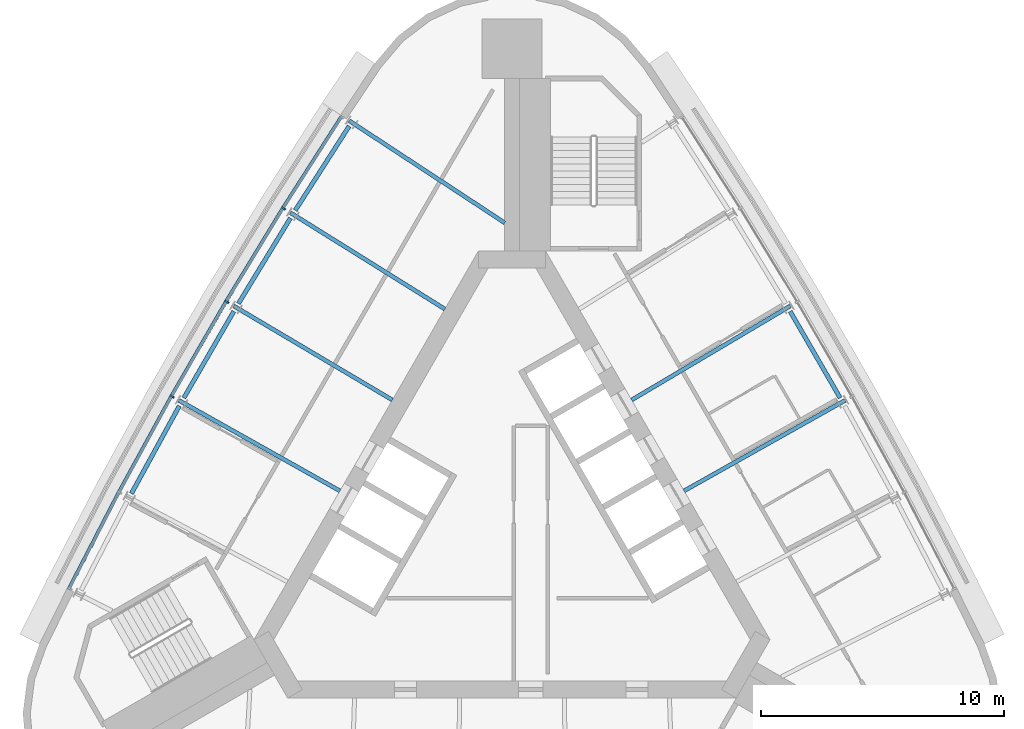
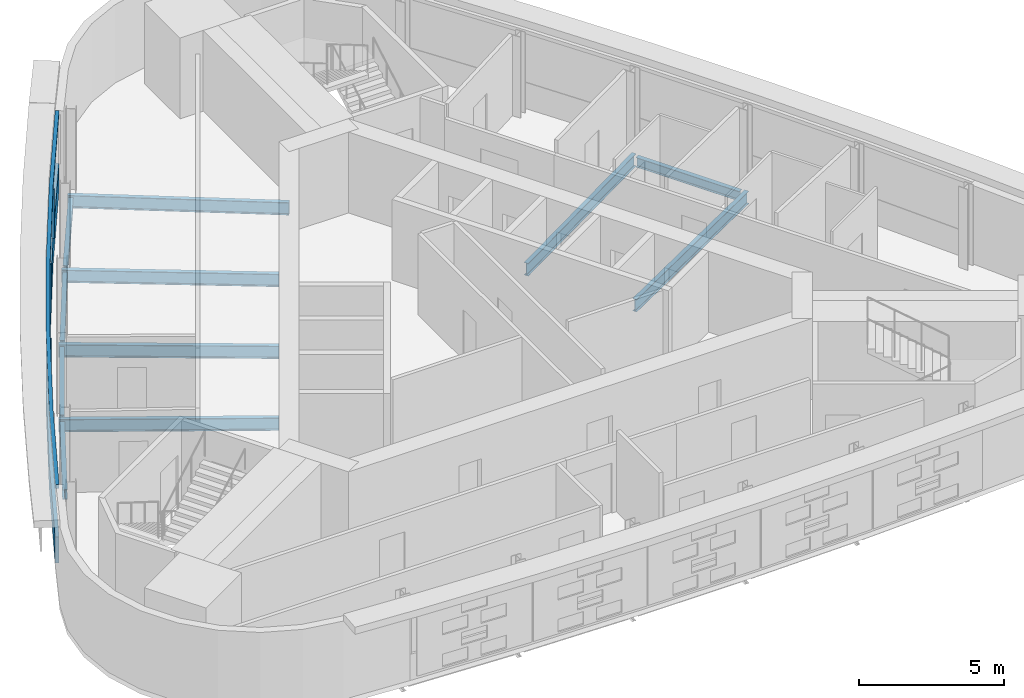
# One storey, part 3 of 10: 11 beams, 5 members, 1 element without a shape of its own.
"""IFC4 building model written with IfcOpenShell, lengths in metres."""

from ifc_helpers import new_model, si_unit, direction, frame, origin, origin_2d, place, context, subcontext, project, spatial, polyline, rectangle, i_section, outline, extrude, material, material_profile, profile_set, type_object, element, aggregate, save


model = new_model("IFC4")

# Units and contexts
model_context = context("Model", 3, precision=1e-05, world=origin(), true_north=direction((0.0, 1.0)))
body_context = subcontext(model_context, "Body", "Model", "MODEL_VIEW")
ifc_project = project(units=[si_unit("LENGTHUNIT", "METRE"), si_unit("AREAUNIT", "SQUARE_METRE"), si_unit("VOLUMEUNIT", "CUBIC_METRE"), si_unit("PLANEANGLEUNIT", "RADIAN"), si_unit("MASSUNIT", "GRAM", prefix="KILO")], contexts=[model_context])

# Site, building, storey
site_placement = place(None, origin())
site = spatial("IfcSite", under=ifc_project, at=site_placement, CompositionType="ELEMENT")
building_placement = place(site_placement, origin())
building = spatial("IfcBuilding", under=site, at=building_placement, Name="Noor Cloister Tower", CompositionType="ELEMENT")
storey_placement = place(building_placement, frame((0.0, 0.0, 243.60009765625)))
storey = spatial("IfcBuildingStorey", under=building, at=storey_placement, Name="L63", CompositionType="ELEMENT", Elevation=243.60009765625)

# Curtain wall, members
ifc_material_1 = material(Name="Aluminium 6063-T6 anodised", Category="aluminium")
curtain_wall_type = type_object("IfcCurtainWallType", Name="Ribbon curtain wall, upper tower CW5", PredefinedType="NOTDEFINED", material=ifc_material_1)
curtain_wall_placement = place(storey_placement, origin())
curtain_wall = element("IfcCurtainWall", 1, at=curtain_wall_placement, inside=storey, type_object=curtain_wall_type, Name="CW5 L63 NW run 1", PredefinedType="NOTDEFINED")
ifc_material_2 = material(Name="Aluminium 6063-T6 anodised", Category="aluminium")
member_type_1 = type_object("IfcMemberType", Name="Head transom CW5 150", PredefinedType="USERDEFINED", material=ifc_material_2)
member_1_placement = place(storey_placement, frame((0.0, 0.0, 3.14990234375)))
member_1 = element("IfcMember", 2, at=member_1_placement, type_object=member_type_1, Name="CW5 head transom", ObjectType="TRANSOM", PredefinedType="USERDEFINED", context=body_context, shape_type="SweptSolid", body=[
    extrude(outline(polyline([(-7.05712890625, 17.0576171875), (-9.4833984375, 13.267822265625), (-11.822021484375, 9.423583984375), (-14.072021484375, 5.5263671875), (-16.232177734375, 1.578857421875), (-18.301025390625, -2.417236328125), (-18.1767578125, -2.4814453125), (-16.1083984375, 1.51318359375), (-13.949951171875, 5.457763671875), (-11.70166015625, 9.35205078125), (-9.364501953125, 13.19384765625), (-6.939208984375, 16.982177734375), (-7.05712890625, 17.0576171875)])), origin(), (0.0, 0.0, 1.0), 0.14990234375),
])
ifc_material_3 = material(Name="Aluminium 6063-T6 anodised", Category="aluminium")
ifc_material_profile_1 = material_profile(ifc_material_3, rectangle(XDim=0.179931640625, YDim=0.070068359375, at=origin_2d()), Name="180 x 70 mullion")
ifc_profile_set_1 = profile_set([ifc_material_profile_1], Name="Aluminium 6063-T6 anodised")
member_type_2 = type_object("IfcMemberType", Name="Mullion CW5 70 x 180", PredefinedType="MULLION", material=ifc_profile_set_1)
member_2_placement = place(storey_placement, frame((-9.3984375, 13.215087890625, 1.099853515625), z_axis=(0.0, 0.0, 1.0), x_axis=(0.848321619142, -0.529481284369, 0.0)))
member_2 = element("IfcMember", 3, at=member_2_placement, type_object=member_type_2, Name="CW5 mullion 2", PredefinedType="MULLION", context=body_context, shape_type="SweptSolid", body=[
    extrude(rectangle(XDim=0.179931640625, YDim=0.070068359375, at=origin_2d()), origin(), (0.0, 0.0, 1.0), 2.050048828125),
])
member_3_placement = place(storey_placement, frame((-11.736083984375, 9.37255859375, 1.099853515625), z_axis=(0.0, 0.0, 1.0), x_axis=(0.860236922947, -0.509894534585, 0.0)))
member_3 = element("IfcMember", 4, at=member_3_placement, type_object=member_type_2, Name="CW5 mullion 3", PredefinedType="MULLION", context=body_context, shape_type="SweptSolid", body=[
    extrude(rectangle(XDim=0.179931640625, YDim=0.070068359375, at=origin_2d()), origin(), (0.0, 0.0, 1.0), 2.050048828125),
])
member_4_placement = place(storey_placement, frame((-13.98486328125, 5.4775390625, 1.099853515625), z_axis=(0.0, 0.0, 1.0), x_axis=(0.871700081674, -0.490039761253, 0.0)))
member_4 = element("IfcMember", 5, at=member_4_placement, type_object=member_type_2, Name="CW5 mullion 4", PredefinedType="MULLION", context=body_context, shape_type="SweptSolid", body=[
    extrude(rectangle(XDim=0.179931640625, YDim=0.070068359375, at=origin_2d()), origin(), (0.0, 0.0, 1.0), 2.050048828125),
])

# Beams
ifc_material_4 = material(Name="Steel ASTM A992 Gr 50", Category="steel")
ifc_material_profile_2 = material_profile(ifc_material_4, i_section(OverallWidth=0.166015625, OverallDepth=0.528076171875, WebThickness=0.009765625, FlangeThickness=0.013671875, FilletRadius=0.0126953125, at=origin_2d()), Name="W530x74")
ifc_profile_set_2 = profile_set([ifc_material_profile_2], Name="Steel ASTM A992 Gr 50")
beam_type_1 = type_object("IfcBeamType", Name="Radial beam W530x74", PredefinedType="BEAM", material=ifc_profile_set_2)
beam_1_placement = place(storey_placement, frame((-6.6943359375, 16.819580078125, -0.464111328125), z_axis=(0.835957767318, -0.548793778446, 0.0), x_axis=(0.548793778446, 0.835957767318, 0.0)))
element("IfcBeam", 6, at=beam_1_placement, inside=storey, type_object=beam_type_1, Name="Radial beam NW 01 L63", PredefinedType="BEAM", context=body_context, shape_type="SweptSolid", body=[
    extrude(i_section(OverallWidth=0.166015625, OverallDepth=0.528076171875, WebThickness=0.009765625, FlangeThickness=0.013671875, FilletRadius=0.0126953125, at=origin_2d()), origin(), (0.0, 0.0, 1.0), 7.649169921875),
])
beam_2_placement = place(storey_placement, frame((-9.115234375, 13.0380859375, -0.464111328125), z_axis=(0.848325964039, -0.529474323019, 0.0), x_axis=(0.529474323019, 0.848325964039, 0.0)))
element("IfcBeam", 7, at=beam_2_placement, inside=storey, type_object=beam_type_1, Name="Radial beam NW 02 L63", PredefinedType="BEAM", context=body_context, shape_type="SweptSolid", body=[
    extrude(i_section(OverallWidth=0.166015625, OverallDepth=0.528076171875, WebThickness=0.009765625, FlangeThickness=0.013671875, FilletRadius=0.0126953125, at=origin_2d()), origin(), (0.0, 0.0, 1.0), 7.4892578125),
])
beam_3_placement = place(storey_placement, frame((-11.44873046875, 9.2021484375, -0.464111328125), z_axis=(0.860245540502, -0.509879995732, 0.0), x_axis=(0.509879995732, 0.860245540502, 0.0)))
element("IfcBeam", 8, at=beam_3_placement, inside=storey, type_object=beam_type_1, Name="Radial beam NW 03 L63", PredefinedType="BEAM", context=body_context, shape_type="SweptSolid", body=[
    extrude(i_section(OverallWidth=0.166015625, OverallDepth=0.528076171875, WebThickness=0.009765625, FlangeThickness=0.013671875, FilletRadius=0.0126953125, at=origin_2d()), origin(), (0.0, 0.0, 1.0), 7.58837890625),
])
for number, where, z_axis, x_axis, name in (
    (9, (-13.693603515625, 5.313720703125, -0.464111328125), (0.871696665139, -0.490045838657, 0.0), (0.490045838657, 0.871696665139, 0.0), "Radial beam NW 04 L63"),
    (10, (13.693603515625, 5.313720703125, -0.464111328125), (-0.871696665139, -0.490045838657, 0.0), (0.490045838657, -0.871696665139, 0.0), "Radial beam NE 03 L63"),
):
    element("IfcBeam", number, at=place(storey_placement, frame(where, z_axis=z_axis, x_axis=x_axis)), inside=storey, type_object=beam_type_1, Name=name, PredefinedType="BEAM", context=body_context, shape_type="SweptSolid", body=[
        extrude(i_section(OverallWidth=0.166015625, OverallDepth=0.528076171875, WebThickness=0.009765625, FlangeThickness=0.013671875, FilletRadius=0.0126953125, at=origin_2d()), origin(), (0.0, 0.0, 1.0), 7.588134765625),
    ])
beam_4_placement = place(storey_placement, frame((11.44873046875, 9.2021484375, -0.464111328125), z_axis=(-0.860245540502, -0.509879995732, 0.0), x_axis=(0.509879995732, -0.860245540502, 0.0)))
element("IfcBeam", 11, at=beam_4_placement, inside=storey, type_object=beam_type_1, Name="Radial beam NE 04 L63", PredefinedType="BEAM", context=body_context, shape_type="SweptSolid", body=[
    extrude(i_section(OverallWidth=0.166015625, OverallDepth=0.528076171875, WebThickness=0.009765625, FlangeThickness=0.013671875, FilletRadius=0.0126953125, at=origin_2d()), origin(), (0.0, 0.0, 1.0), 7.58837890625),
])

# Member
ifc_material_5 = material(Name="Aluminium 6063-T6 anodised", Category="aluminium")
member_type_3 = type_object("IfcMemberType", Name="Sill transom CW5 1100", PredefinedType="USERDEFINED", material=ifc_material_5)
member_5_placement = place(storey_placement, origin())
member_5 = element("IfcMember", 12, at=member_5_placement, type_object=member_type_3, Name="CW5 sill transom", ObjectType="TRANSOM", PredefinedType="USERDEFINED", context=body_context, shape_type="SweptSolid", body=[
    extrude(outline(polyline([(-7.05712890625, 17.0576171875), (-9.4833984375, 13.267822265625), (-11.822021484375, 9.423583984375), (-14.072021484375, 5.5263671875), (-16.232177734375, 1.578857421875), (-18.301025390625, -2.417236328125), (-18.1767578125, -2.4814453125), (-16.1083984375, 1.51318359375), (-13.949951171875, 5.457763671875), (-11.70166015625, 9.35205078125), (-9.364501953125, 13.19384765625), (-6.939208984375, 16.982177734375), (-7.05712890625, 17.0576171875)])), origin(), (0.0, 0.0, 1.0), 1.099853515625),
])

aggregate(curtain_wall, [member_2, member_3, member_4, member_5, member_1])

# Beams
ifc_material_6 = material(Name="Steel ASTM A992 Gr 50", Category="steel")
ifc_material_profile_3 = material_profile(ifc_material_6, i_section(OverallWidth=0.177978515625, OverallDepth=0.406005859375, WebThickness=0.0078125, FlangeThickness=0.0126953125, FilletRadius=0.01025390625, at=origin_2d()), Name="W410x60")
ifc_profile_set_3 = profile_set([ifc_material_profile_3], Name="Steel ASTM A992 Gr 50")
beam_type_2 = type_object("IfcBeamType", Name="Spandrel beam W410x60", PredefinedType="SPANDREL", material=ifc_profile_set_3)
for number, where, z_axis, x_axis, name in (
    (13, (-6.697998046875, 16.598876953125, -0.403076171875), (-0.539158091967, -0.842204578393, 0.0), (0.842204578393, -0.539158091967, 0.0), "Spandrel beam NW 01 L63"),
    (14, (-9.11376953125, 12.8173828125, -0.403076171875), (-0.519713490012, -0.854340616089, 0.0), (0.854340616089, -0.519713490012, 0.0), "Spandrel beam NW 02 L63"),
    (15, (-11.442138671875, 8.9814453125, -0.403076171875), (-0.50000668347, -0.866021545047, 0.0), (0.866021545047, -0.50000668347, 0.0), "Spandrel beam NW 03 L63"),
):
    element("IfcBeam", number, at=place(storey_placement, frame(where, z_axis=z_axis, x_axis=x_axis)), inside=storey, type_object=beam_type_2, Name=name, PredefinedType="SPANDREL", context=body_context, shape_type="SweptSolid", body=[
        extrude(i_section(OverallWidth=0.177978515625, OverallDepth=0.406005859375, WebThickness=0.0078125, FlangeThickness=0.0126953125, FilletRadius=0.01025390625, at=origin_2d()), origin(), (0.0, 0.0, 1.0), 4.1142578125),
    ])
beam_5_placement = place(storey_placement, frame((-13.68212890625, 5.09326171875, -0.403076171875), z_axis=(-0.480020032196, -0.877257527007, 0.0), x_axis=(0.877257527007, -0.480020032196, 0.0)))
element("IfcBeam", 16, at=beam_5_placement, inside=storey, type_object=beam_type_2, Name="Spandrel beam NW 04 L63", PredefinedType="SPANDREL", context=body_context, shape_type="SweptSolid", body=[
    extrude(i_section(OverallWidth=0.177978515625, OverallDepth=0.406005859375, WebThickness=0.0078125, FlangeThickness=0.0126953125, FilletRadius=0.01025390625, at=origin_2d()), origin(), (0.0, 0.0, 1.0), 4.114013671875),
])
beam_6_placement = place(storey_placement, frame((13.499267578125, 5.41845703125, -0.403076171875), z_axis=(-0.50000668347, 0.866021545047, 0.0), x_axis=(-0.866021545047, -0.50000668347, 0.0)))
element("IfcBeam", 17, at=beam_6_placement, inside=storey, type_object=beam_type_2, Name="Spandrel beam NE 03 L63", PredefinedType="SPANDREL", context=body_context, shape_type="SweptSolid", body=[
    extrude(i_section(OverallWidth=0.177978515625, OverallDepth=0.406005859375, WebThickness=0.0078125, FlangeThickness=0.0126953125, FilletRadius=0.01025390625, at=origin_2d()), origin(), (0.0, 0.0, 1.0), 4.1142578125),
])

save(model, "model.ifc")
